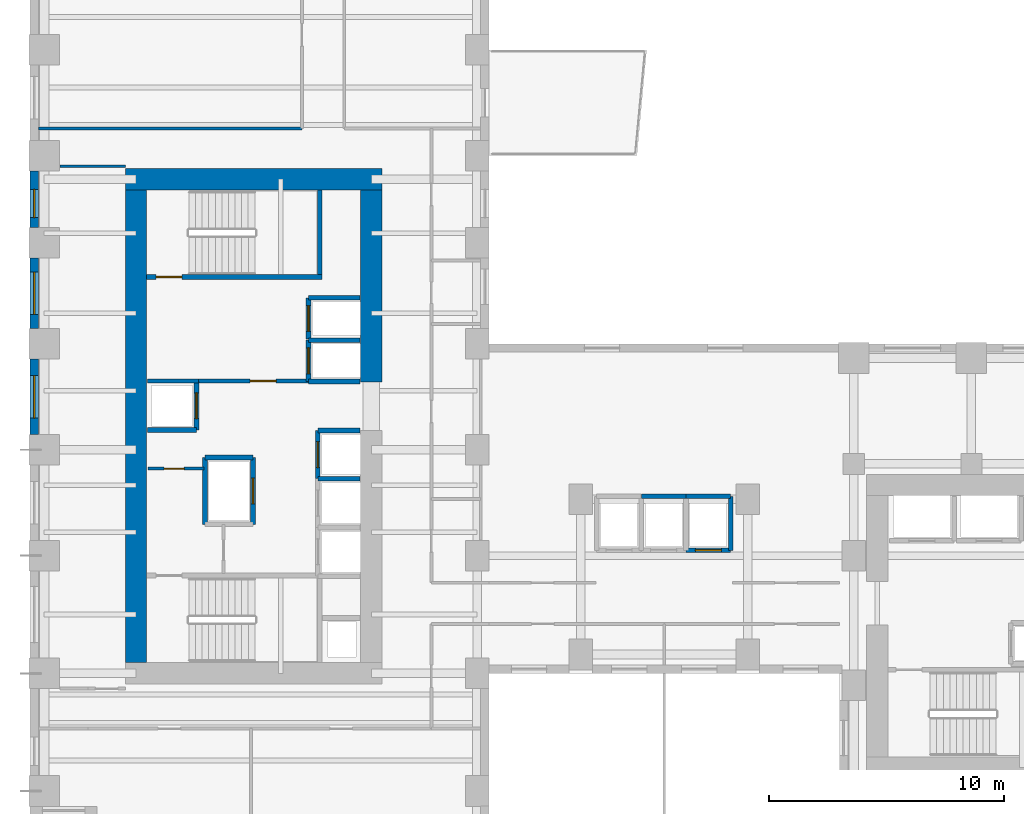
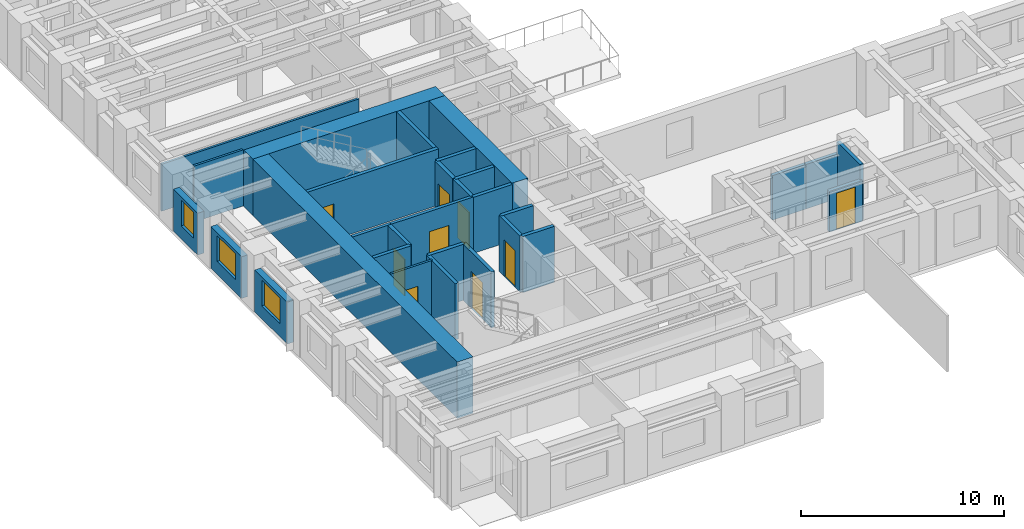
# One storey, part 5 of 11: 30 walls, 9 doors, 3 windows, 12 openings.
"""IFC4 building model written with IfcOpenShell, lengths in metres."""

from ifc_helpers import new_model, si_unit, direction, frame, frame_2d, origin, place, context, subcontext, project, spatial, rectangle, extrude, source, transform, mapped, material, layer, layer_set, type_object, element, fill, save


model = new_model("IFC4")

# Units and contexts
model_context = context("Model", 3, precision=1e-05, world=origin(), true_north=direction((0.0, 1.0)))
body_context = subcontext(model_context, "Body", "Model", "MODEL_VIEW")
ifc_project = project(units=[si_unit("LENGTHUNIT", "METRE"), si_unit("AREAUNIT", "SQUARE_METRE"), si_unit("VOLUMEUNIT", "CUBIC_METRE"), si_unit("PLANEANGLEUNIT", "RADIAN"), si_unit("MASSUNIT", "GRAM", prefix="KILO")], contexts=[model_context])

# Site, building, storey
site_placement = place(None, origin())
site = spatial("IfcSite", under=ifc_project, at=site_placement, CompositionType="ELEMENT")
building_placement = place(site_placement, origin())
building = spatial("IfcBuilding", under=site, at=building_placement, Name="Kharzan Plaza Tower", CompositionType="ELEMENT")
storey_placement = place(building_placement, frame((0.0, 0.0, 40.5)))
storey = spatial("IfcBuildingStorey", under=building, at=storey_placement, Name="L10", CompositionType="ELEMENT", Elevation=40.5)

# Wall, opening, window
ifc_material_1 = material(Name="Concrete C40/50", Category="concrete")
ifc_layer_1 = layer(ifc_material_1, 0.35009765625)
ifc_layer_set_1 = layer_set([ifc_layer_1], Name="Concrete C40/50")
wall_type_1 = type_object("IfcWallType", Name="WL-EXT-MAS-Z1", PredefinedType="SOLIDWALL", material=ifc_layer_set_1)
wall_1_placement = place(storey_placement, frame((0.175048828125, 29.85205078125, 0.0), z_axis=(0.0, 0.0, 1.0), x_axis=(0.0, -1.0, 0.0)))
wall_1 = element("IfcWall", 1, at=wall_1_placement, inside=storey, type_object=wall_type_1, Name="L10 Masonry-Frame Exterior Wall 14", PredefinedType="SOLIDWALL", context=body_context, shape_type="SweptSolid", body=[
    extrude(rectangle(XDim=2.404052734375, YDim=0.35009765625, at=frame_2d((1.2021484375, 0.0))), origin(), (0.0, 0.0, 1.0), 2.510009765625),
])
opening_1_placement = place(wall_1_placement, frame((0.786865234375, 0.0, 0.780029296875)))
opening_1 = element("IfcOpeningElement", 2, at=opening_1_placement, cuts=wall_1, Name="Opening W3", PredefinedType="OPENING", context=body_context, shape_type="SweptSolid", body=[
    extrude(rectangle(XDim=1.199951171875, YDim=1.550048828125, at=frame_2d((0.60009765625, 0.77490234375))), frame((0.0, 0.18505859375, 0.0), z_axis=(0.0, -1.0, 0.0), x_axis=(1.0, 0.0, 0.0)), (0.0, 0.0, 1.0), 0.3701171875),
])
ifc_material_2 = material(Name="Low-E Double Glazing", Category="glass")
window_type_1 = type_object("IfcWindowType", Name="WN-REC-1200x2100", PartitioningType="SINGLE_PANEL", PredefinedType="WINDOW", material=ifc_material_2)
shared_shape_1 = source(origin(), body_context, "Body", "SweptSolid", [
    extrude(rectangle(XDim=1.199951171875, YDim=1.550048828125, at=frame_2d((0.60009765625, 0.77490234375))), frame((0.0, 0.030029296875, 0.0), z_axis=(0.0, -1.0, 0.0), x_axis=(1.0, 0.0, 0.0)), (0.0, 0.0, 1.0), 0.06005859375),
])
window_1_placement = place(opening_1_placement, origin())
window_1 = element("IfcWindow", 3, at=window_1_placement, inside=storey, type_object=window_type_1, Name="L10 Recessed Solar-Control Window 14-1", OverallHeight=1.550048828125, OverallWidth=1.199951171875, PartitioningType="SINGLE_PANEL", PredefinedType="WINDOW", context=body_context, shape_type="MappedRepresentation", body=[
    mapped(shared_shape_1, transform((0.0, 0.0, 0.0), x_axis=(1.0, 0.0, 0.0), y_axis=(0.0, 1.0, 0.0), z_axis=(0.0, 0.0, 1.0))),
])
fill(opening_1, window_1)

wall_2_placement = place(storey_placement, frame((0.175048828125, 26.152099609375, 0.0), z_axis=(0.0, 0.0, 1.0), x_axis=(0.0, -1.0, 0.0)))
wall_2 = element("IfcWall", 4, at=wall_2_placement, inside=storey, type_object=wall_type_1, Name="L10 Masonry-Frame Exterior Wall 15", PredefinedType="SOLIDWALL", context=body_context, shape_type="SweptSolid", body=[
    extrude(rectangle(XDim=3.004150390625, YDim=0.35009765625, at=frame_2d((1.501953125, 0.0))), origin(), (0.0, 0.0, 1.0), 2.510009765625),
])
opening_2_placement = place(wall_2_placement, frame((0.60205078125, 0.0, 0.780029296875)))
opening_2 = element("IfcOpeningElement", 5, at=opening_2_placement, cuts=wall_2, Name="Opening W1", PredefinedType="OPENING", context=body_context, shape_type="SweptSolid", body=[
    extrude(rectangle(XDim=1.800048828125, YDim=1.550048828125, at=frame_2d((0.89990234375, 0.77490234375))), frame((0.0, 0.18505859375, 0.0), z_axis=(0.0, -1.0, 0.0), x_axis=(1.0, 0.0, 0.0)), (0.0, 0.0, 1.0), 0.3701171875),
])
window_type_2 = type_object("IfcWindowType", Name="WN-REC-1800x2100", PartitioningType="SINGLE_PANEL", PredefinedType="WINDOW", material=ifc_material_2)
shared_shape_2 = source(origin(), body_context, "Body", "SweptSolid", [
    extrude(rectangle(XDim=1.800048828125, YDim=1.550048828125, at=frame_2d((0.89990234375, 0.77490234375))), frame((0.0, 0.030029296875, 0.0), z_axis=(0.0, -1.0, 0.0), x_axis=(1.0, 0.0, 0.0)), (0.0, 0.0, 1.0), 0.06005859375),
])
window_2_placement = place(opening_2_placement, origin())
window_2 = element("IfcWindow", 6, at=window_2_placement, inside=storey, type_object=window_type_2, Name="L10 Recessed Solar-Control Window 15-1", OverallHeight=1.550048828125, OverallWidth=1.800048828125, PartitioningType="SINGLE_PANEL", PredefinedType="WINDOW", context=body_context, shape_type="MappedRepresentation", body=[
    mapped(shared_shape_2, transform((0.0, 0.0, 0.0), x_axis=(1.0, 0.0, 0.0), y_axis=(0.0, 1.0, 0.0), z_axis=(0.0, 0.0, 1.0))),
])
fill(opening_2, window_2)

wall_3_placement = place(storey_placement, frame((0.175048828125, 21.85205078125, 0.0), z_axis=(0.0, 0.0, 1.0), x_axis=(0.0, -1.0, 0.0)))
wall_3 = element("IfcWall", 7, at=wall_3_placement, inside=storey, type_object=wall_type_1, Name="L10 Masonry-Frame Exterior Wall 16", PredefinedType="SOLIDWALL", context=body_context, shape_type="SweptSolid", body=[
    extrude(rectangle(XDim=3.2041015625, YDim=0.35009765625, at=frame_2d((1.60205078125, 0.0))), origin(), (0.0, 0.0, 1.0), 2.510009765625),
])
opening_3_placement = place(wall_3_placement, frame((0.701904296875, 0.0, 0.780029296875)))
opening_3 = element("IfcOpeningElement", 8, at=opening_3_placement, cuts=wall_3, Name="Opening W1", PredefinedType="OPENING", context=body_context, shape_type="SweptSolid", body=[
    extrude(rectangle(XDim=1.800048828125, YDim=1.550048828125, at=frame_2d((0.89990234375, 0.77490234375))), frame((0.0, 0.18505859375, 0.0), z_axis=(0.0, -1.0, 0.0), x_axis=(1.0, 0.0, 0.0)), (0.0, 0.0, 1.0), 0.3701171875),
])
window_3_placement = place(opening_3_placement, origin())
window_3 = element("IfcWindow", 9, at=window_3_placement, inside=storey, type_object=window_type_2, Name="L10 Recessed Solar-Control Window 16-1", OverallHeight=1.550048828125, OverallWidth=1.800048828125, PartitioningType="SINGLE_PANEL", PredefinedType="WINDOW", context=body_context, shape_type="MappedRepresentation", body=[
    mapped(shared_shape_2, transform((0.0, 0.0, 0.0), x_axis=(1.0, 0.0, 0.0), y_axis=(0.0, 1.0, 0.0), z_axis=(0.0, 0.0, 1.0))),
])
fill(opening_3, window_3)

# Wall, opening, door
ifc_layer_2 = layer(ifc_material_1, 0.179931640625)
ifc_layer_set_2 = layer_set([ifc_layer_2], Name="Concrete C40/50")
wall_type_2 = type_object("IfcWallType", Name="WL-INT-FIRE-180", PredefinedType="PARTITIONING", material=ifc_layer_set_2)
wall_4_placement = place(storey_placement, frame((7.14990234375, 20.919921875, 0.0), z_axis=(0.0, 0.0, 1.0), x_axis=(1.0, 0.0, 0.0)))
wall_4 = element("IfcWall", 10, at=wall_4_placement, inside=storey, type_object=wall_type_2, Name="L10 Interior Partition CA-FF-S", PredefinedType="PARTITIONING", context=body_context, shape_type="SweptSolid", body=[
    extrude(rectangle(XDim=4.68017578125, YDim=0.179931640625, at=frame_2d((2.340087890625, 0.0))), origin(), (0.0, 0.0, 1.0), 3.364990234375),
])
opening_4_placement = place(wall_4_placement, frame((2.199951171875, 0.0, 0.0)))
opening_4 = element("IfcOpeningElement", 11, at=opening_4_placement, cuts=wall_4, Name="Opening FD1", PredefinedType="OPENING", context=body_context, shape_type="SweptSolid", body=[
    extrude(rectangle(XDim=1.10009765625, YDim=2.14990234375, at=frame_2d((0.550048828125, 1.074951171875))), frame((0.0, 0.099853515625, 0.0), z_axis=(0.0, -1.0, 0.0), x_axis=(1.0, 0.0, 0.0)), (0.0, 0.0, 1.0), 0.199951171875),
])
ifc_material_3 = material(Name="Fire-Rated Acoustic Vision-Panel Steel", Category="steel")
door_type_1 = type_object("IfcDoorType", Name="DR-FIRE-LOBBY", OperationType="NOTDEFINED", PredefinedType="DOOR", material=ifc_material_3)
shared_shape_3 = source(origin(), body_context, "Body", "SweptSolid", [
    extrude(rectangle(XDim=1.10009765625, YDim=2.14990234375, at=frame_2d((0.550048828125, 1.074951171875))), frame((0.0, 0.02490234375, 0.0), z_axis=(0.0, -1.0, 0.0), x_axis=(1.0, 0.0, 0.0)), (0.0, 0.0, 1.0), 0.050048828125),
])
door_1_placement = place(opening_4_placement, origin())
door_1 = element("IfcDoor", 12, at=door_1_placement, inside=storey, type_object=door_type_1, Name="L10 Firefighting Lobby Door", OperationType="SINGLE_SWING_LEFT", OverallHeight=2.14990234375, OverallWidth=1.10009765625, PredefinedType="DOOR", context=body_context, shape_type="MappedRepresentation", body=[
    mapped(shared_shape_3, transform((0.0, 0.0, 0.0), x_axis=(1.0, 0.0, 0.0), y_axis=(0.0, 1.0, 0.0), z_axis=(0.0, 0.0, 1.0))),
])
fill(opening_4, door_1)

ifc_material_4 = material(Name="Fire-Rated Gypsum Board Partition", Category="gypsum")
ifc_layer_3 = layer(ifc_material_4, 0.125)
ifc_layer_set_3 = layer_set([ifc_layer_3], Name="Fire-Rated Gypsum Board Partition")
wall_type_3 = type_object("IfcWallType", Name="WL-INT-PART-125", PredefinedType="PARTITIONING", material=ifc_layer_set_3)
wall_5_placement = place(storey_placement, frame((5.0, 17.199951171875, 0.0), z_axis=(0.0, 0.0, 1.0), x_axis=(1.0, 0.0, 0.0)))
wall_5 = element("IfcWall", 13, at=wall_5_placement, inside=storey, type_object=wall_type_3, Name="L10 Interior Partition CA-K1N2", PredefinedType="PARTITIONING", context=body_context, shape_type="SweptSolid", body=[
    extrude(rectangle(XDim=2.39990234375, YDim=0.125, at=frame_2d((1.199951171875, 0.0))), origin(), (0.0, 0.0, 1.0), 3.364990234375),
])
opening_5_placement = place(wall_5_placement, frame((0.699951171875, 0.0, 0.0)))
opening_5 = element("IfcOpeningElement", 14, at=opening_5_placement, cuts=wall_5, Name="Opening RD1", PredefinedType="OPENING", context=body_context, shape_type="SweptSolid", body=[
    extrude(rectangle(XDim=0.85009765625, YDim=2.10009765625, at=frame_2d((0.425048828125, 1.050048828125))), frame((0.0, 0.072509765625, 0.0), z_axis=(0.0, -1.0, 0.0), x_axis=(1.0, 0.0, 0.0)), (0.0, 0.0, 1.0), 0.14501953125),
])
ifc_material_5 = material(Name="Powder-Coated Fire-Rated Steel", Category="steel")
door_type_2 = type_object("IfcDoorType", Name="DR-RISER-900", OperationType="NOTDEFINED", PredefinedType="DOOR", material=ifc_material_5)
shared_shape_4 = source(origin(), body_context, "Body", "SweptSolid", [
    extrude(rectangle(XDim=0.85009765625, YDim=2.10009765625, at=frame_2d((0.425048828125, 1.050048828125))), frame((0.0, 0.02490234375, 0.0), z_axis=(0.0, -1.0, 0.0), x_axis=(1.0, 0.0, 0.0)), (0.0, 0.0, 1.0), 0.050048828125),
])
door_2_placement = place(opening_5_placement, origin())
door_2 = element("IfcDoor", 15, at=door_2_placement, inside=storey, type_object=door_type_2, Name="L10 Core Storage Room Door", OperationType="SINGLE_SWING_RIGHT", OverallHeight=2.10009765625, OverallWidth=0.85009765625, PredefinedType="DOOR", context=body_context, shape_type="MappedRepresentation", body=[
    mapped(shared_shape_4, transform((0.0, 0.0, 0.0), x_axis=(1.0, 0.0, 0.0), y_axis=(0.0, 1.0, 0.0), z_axis=(0.0, 0.0, 1.0))),
])
fill(opening_5, door_2)

ifc_layer_4 = layer(ifc_material_1, 0.199951171875)
ifc_layer_set_4 = layer_set([ifc_layer_4], Name="Concrete C40/50")
wall_type_4 = type_object("IfcWallType", Name="WL-INT-SHAFT-200", PredefinedType="PARTITIONING", material=ifc_layer_set_4)
wall_6_placement = place(storey_placement, frame((11.830078125, 20.89990234375, 0.0), z_axis=(0.0, 0.0, 1.0), x_axis=(0.0, 1.0, 0.0)))
wall_6 = element("IfcWall", 16, at=wall_6_placement, inside=storey, type_object=wall_type_4, Name="L10 Interior Partition SHF-FFL-1-W", PredefinedType="PARTITIONING", context=body_context, shape_type="SweptSolid", body=[
    extrude(rectangle(XDim=1.760009765625, YDim=0.199951171875, at=frame_2d((0.8798828125, 0.0))), origin(), (0.0, 0.0, 1.0), 3.364990234375),
])
opening_6_placement = place(wall_6_placement, frame((0.330078125, 0.0, 0.0)))
opening_6 = element("IfcOpeningElement", 17, at=opening_6_placement, cuts=wall_6, Name="Opening LD", PredefinedType="OPENING", context=body_context, shape_type="SweptSolid", body=[
    extrude(rectangle(XDim=1.10009765625, YDim=2.199951171875, at=frame_2d((0.550048828125, 1.10009765625))), frame((0.0, 0.10986328125, 0.0), z_axis=(0.0, -1.0, 0.0), x_axis=(1.0, 0.0, 0.0)), (0.0, 0.0, 1.0), 0.219970703125),
])
ifc_material_6 = material(Name="Brushed Stainless Steel", Category="steel")
door_type_3 = type_object("IfcDoorType", Name="DR-LIFT-SLIDE", OperationType="SLIDING_TO_LEFT", PredefinedType="DOOR", material=ifc_material_6)
shared_shape_5 = source(origin(), body_context, "Body", "SweptSolid", [
    extrude(rectangle(XDim=1.10009765625, YDim=2.199951171875, at=frame_2d((0.550048828125, 1.10009765625))), frame((0.0, 0.02490234375, 0.0), z_axis=(0.0, -1.0, 0.0), x_axis=(1.0, 0.0, 0.0)), (0.0, 0.0, 1.0), 0.050048828125),
])
door_3_placement = place(opening_6_placement, origin())
door_3 = element("IfcDoor", 18, at=door_3_placement, inside=storey, type_object=door_type_3, Name="L10 Firefighting Lift FFL-1 Sliding Landing Door", OperationType="SLIDING_TO_LEFT", OverallHeight=2.199951171875, OverallWidth=1.10009765625, PredefinedType="DOOR", context=body_context, shape_type="MappedRepresentation", body=[
    mapped(shared_shape_5, transform((0.0, 0.0, 0.0), x_axis=(1.0, 0.0, 0.0), y_axis=(0.0, 1.0, 0.0), z_axis=(0.0, 0.0, 1.0))),
])
fill(opening_6, door_3)

wall_7_placement = place(storey_placement, frame((11.830078125, 22.699951171875, 0.0), z_axis=(0.0, 0.0, 1.0), x_axis=(0.0, 1.0, 0.0)))
wall_7 = element("IfcWall", 19, at=wall_7_placement, inside=storey, type_object=wall_type_4, Name="L10 Interior Partition SHF-FFL-2-W", PredefinedType="PARTITIONING", context=body_context, shape_type="SweptSolid", body=[
    extrude(rectangle(XDim=1.760009765625, YDim=0.199951171875, at=frame_2d((0.8798828125, 0.0))), origin(), (0.0, 0.0, 1.0), 3.364990234375),
])
opening_7_placement = place(wall_7_placement, frame((0.330078125, 0.0, 0.0)))
opening_7 = element("IfcOpeningElement", 20, at=opening_7_placement, cuts=wall_7, Name="Opening LD", PredefinedType="OPENING", context=body_context, shape_type="SweptSolid", body=[
    extrude(rectangle(XDim=1.10009765625, YDim=2.199951171875, at=frame_2d((0.550048828125, 1.10009765625))), frame((0.0, 0.10986328125, 0.0), z_axis=(0.0, -1.0, 0.0), x_axis=(1.0, 0.0, 0.0)), (0.0, 0.0, 1.0), 0.219970703125),
])
door_4_placement = place(opening_7_placement, origin())
door_4 = element("IfcDoor", 21, at=door_4_placement, inside=storey, type_object=door_type_3, Name="L10 Firefighting Lift FFL-2 Sliding Landing Door", OperationType="SLIDING_TO_LEFT", OverallHeight=2.199951171875, OverallWidth=1.10009765625, PredefinedType="DOOR", context=body_context, shape_type="MappedRepresentation", body=[
    mapped(shared_shape_5, transform((0.0, 0.0, 0.0), x_axis=(1.0, 0.0, 0.0), y_axis=(0.0, 1.0, 0.0), z_axis=(0.0, 0.0, 1.0))),
])
fill(opening_7, door_4)

wall_8_placement = place(storey_placement, frame((12.22998046875, 16.77001953125, 0.0), z_axis=(0.0, 0.0, 1.0), x_axis=(0.0, 1.0, 0.0)))
wall_8 = element("IfcWall", 22, at=wall_8_placement, inside=storey, type_object=wall_type_4, Name="L10 Interior Partition SHF-PL-H3-W", PredefinedType="PARTITIONING", context=body_context, shape_type="SweptSolid", body=[
    extrude(rectangle(XDim=2.050048828125, YDim=0.199951171875, at=frame_2d((1.02490234375, 0.0))), origin(), (0.0, 0.0, 1.0), 3.364990234375),
])
opening_8_placement = place(wall_8_placement, frame((0.47509765625, 0.0, 0.0)))
opening_8 = element("IfcOpeningElement", 23, at=opening_8_placement, cuts=wall_8, Name="Opening LD", PredefinedType="OPENING", context=body_context, shape_type="SweptSolid", body=[
    extrude(rectangle(XDim=1.10009765625, YDim=2.199951171875, at=frame_2d((0.550048828125, 1.10009765625))), frame((0.0, 0.10986328125, 0.0), z_axis=(0.0, -1.0, 0.0), x_axis=(1.0, 0.0, 0.0)), (0.0, 0.0, 1.0), 0.219970703125),
])
door_5_placement = place(opening_8_placement, origin())
door_5 = element("IfcDoor", 24, at=door_5_placement, inside=storey, type_object=door_type_3, Name="L10 High-Rise Passenger Lift PL-H3 Sliding Landing Door", OperationType="SLIDING_TO_LEFT", OverallHeight=2.199951171875, OverallWidth=1.10009765625, PredefinedType="DOOR", context=body_context, shape_type="MappedRepresentation", body=[
    mapped(shared_shape_5, transform((0.0, 0.0, 0.0), x_axis=(1.0, 0.0, 0.0), y_axis=(0.0, 1.0, 0.0), z_axis=(0.0, 0.0, 1.0))),
])
fill(opening_8, door_5)

wall_9_placement = place(storey_placement, frame((7.070068359375, 18.840087890625, 0.0), z_axis=(0.0, 0.0, 1.0), x_axis=(0.0, 1.0, 0.0)))
wall_9 = element("IfcWall", 25, at=wall_9_placement, inside=storey, type_object=wall_type_4, Name="L10 Interior Partition SHF-PL-H4-E", PredefinedType="PARTITIONING", context=body_context, shape_type="SweptSolid", body=[
    extrude(rectangle(XDim=2.059814453125, YDim=0.199951171875, at=frame_2d((1.02978515625, 0.0))), origin(), (0.0, 0.0, 1.0), 3.364990234375),
])
opening_9_placement = place(wall_9_placement, frame((0.47998046875, 0.0, 0.0)))
opening_9 = element("IfcOpeningElement", 26, at=opening_9_placement, cuts=wall_9, Name="Opening LD", PredefinedType="OPENING", context=body_context, shape_type="SweptSolid", body=[
    extrude(rectangle(XDim=1.10009765625, YDim=2.199951171875, at=frame_2d((0.550048828125, 1.10009765625))), frame((0.0, 0.10986328125, 0.0), z_axis=(0.0, -1.0, 0.0), x_axis=(1.0, 0.0, 0.0)), (0.0, 0.0, 1.0), 0.219970703125),
])
door_6_placement = place(opening_9_placement, origin())
door_6 = element("IfcDoor", 27, at=door_6_placement, inside=storey, type_object=door_type_3, Name="L10 High-Rise Passenger Lift PL-H4 Sliding Landing Door", OperationType="SLIDING_TO_LEFT", OverallHeight=2.199951171875, OverallWidth=1.10009765625, PredefinedType="DOOR", context=body_context, shape_type="MappedRepresentation", body=[
    mapped(shared_shape_5, transform((0.0, 0.0, 0.0), x_axis=(1.0, 0.0, 0.0), y_axis=(0.0, 1.0, 0.0), z_axis=(0.0, 0.0, 1.0))),
])
fill(opening_9, door_6)

wall_10_placement = place(storey_placement, frame((27.8798828125, 13.72998046875, 0.0), z_axis=(0.0, 0.0, 1.0), x_axis=(1.0, 0.0, 0.0)))
wall_10 = element("IfcWall", 28, at=wall_10_placement, inside=storey, type_object=wall_type_4, Name="L10 Interior Partition SHF-PL-M3-S", PredefinedType="PARTITIONING", context=body_context, shape_type="SweptSolid", body=[
    extrude(rectangle(XDim=1.89013671875, YDim=0.199951171875, at=frame_2d((0.945068359375, 0.0))), origin(), (0.0, 0.0, 1.0), 2.446044921875),
])
opening_10_placement = place(wall_10_placement, frame((0.39501953125, 0.0, 0.0)))
opening_10 = element("IfcOpeningElement", 29, at=opening_10_placement, cuts=wall_10, Name="Opening LD", PredefinedType="OPENING", context=body_context, shape_type="SweptSolid", body=[
    extrude(rectangle(XDim=1.10009765625, YDim=2.199951171875, at=frame_2d((0.550048828125, 1.10009765625))), frame((0.0, 0.10986328125, 0.0), z_axis=(0.0, -1.0, 0.0), x_axis=(1.0, 0.0, 0.0)), (0.0, 0.0, 1.0), 0.219970703125),
])
door_7_placement = place(opening_10_placement, origin())
door_7 = element("IfcDoor", 30, at=door_7_placement, inside=storey, type_object=door_type_3, Name="L10 Mid-Rise Passenger Lift PL-M3 Sliding Landing Door", OperationType="SLIDING_TO_LEFT", OverallHeight=2.199951171875, OverallWidth=1.10009765625, PredefinedType="DOOR", context=body_context, shape_type="MappedRepresentation", body=[
    mapped(shared_shape_5, transform((0.0, 0.0, 0.0), x_axis=(1.0, 0.0, 0.0), y_axis=(0.0, 1.0, 0.0), z_axis=(0.0, 0.0, 1.0))),
])
fill(opening_10, door_7)

wall_11_placement = place(storey_placement, frame((9.469970703125, 14.830078125, 0.0), z_axis=(0.0, 0.0, 1.0), x_axis=(0.0, 1.0, 0.0)))
wall_11 = element("IfcWall", 31, at=wall_11_placement, inside=storey, type_object=wall_type_4, Name="L10 Interior Partition SHF-SVL-1-E", PredefinedType="PARTITIONING", context=body_context, shape_type="SweptSolid", body=[
    extrude(rectangle(XDim=2.83984375, YDim=0.199951171875, at=frame_2d((1.419921875, 0.0))), origin(), (0.0, 0.0, 1.0), 3.364990234375),
])
opening_11_placement = place(wall_11_placement, frame((0.8701171875, 0.0, 0.0)))
opening_11 = element("IfcOpeningElement", 32, at=opening_11_placement, cuts=wall_11, Name="Opening LD", PredefinedType="OPENING", context=body_context, shape_type="SweptSolid", body=[
    extrude(rectangle(XDim=1.10009765625, YDim=2.199951171875, at=frame_2d((0.550048828125, 1.10009765625))), frame((0.0, 0.10986328125, 0.0), z_axis=(0.0, -1.0, 0.0), x_axis=(1.0, 0.0, 0.0)), (0.0, 0.0, 1.0), 0.219970703125),
])
door_8_placement = place(opening_11_placement, origin())
door_8 = element("IfcDoor", 33, at=door_8_placement, inside=storey, type_object=door_type_3, Name="L10 Service Lift SVL-1 Sliding Landing Door", OperationType="SLIDING_TO_LEFT", OverallHeight=2.199951171875, OverallWidth=1.10009765625, PredefinedType="DOOR", context=body_context, shape_type="MappedRepresentation", body=[
    mapped(shared_shape_5, transform((0.0, 0.0, 0.0), x_axis=(1.0, 0.0, 0.0), y_axis=(0.0, 1.0, 0.0), z_axis=(0.0, 0.0, 1.0))),
])
fill(opening_11, door_8)

ifc_material_7 = material(Name="Concrete C50/60", Category="concrete")
ifc_layer_5 = layer(ifc_material_7, 0.199951171875)
ifc_layer_set_5 = layer_set([ifc_layer_5], Name="Concrete C50/60")
wall_type_5 = type_object("IfcWallType", Name="WL-SHAFT-RC200", PredefinedType="SHEAR", material=ifc_layer_set_5)
wall_12_placement = place(storey_placement, frame((4.951904296875, 25.344970703125, 0.0), z_axis=(0.0, 0.0, 1.0), x_axis=(1.0, 0.0, 0.0)))
wall_12 = element("IfcWall", 34, at=wall_12_placement, inside=storey, type_object=wall_type_5, Name="L10 Stair ST-2 South RC Shaft Wall", PredefinedType="SHEAR", context=body_context, shape_type="SweptSolid", body=[
    extrude(rectangle(XDim=7.453125, YDim=0.199951171875, at=frame_2d((3.7265625, 0.0))), origin(), (0.0, 0.0, 1.0), 3.3798828125),
])
opening_12_placement = place(wall_12_placement, frame((0.39990234375, 0.0, 0.0)))
opening_12 = element("IfcOpeningElement", 35, at=opening_12_placement, cuts=wall_12, Name="Opening SD1", PredefinedType="OPENING", context=body_context, shape_type="SweptSolid", body=[
    extrude(rectangle(XDim=1.10009765625, YDim=2.14990234375, at=frame_2d((0.550048828125, 1.074951171875))), frame((0.0, 0.10986328125, 0.0), z_axis=(0.0, -1.0, 0.0), x_axis=(1.0, 0.0, 0.0)), (0.0, 0.0, 1.0), 0.219970703125),
])
ifc_material_8 = material(Name="Fire-Rated Hollow Galvanized Steel", Category="steel")
door_type_4 = type_object("IfcDoorType", Name="DR-STAIR-FD120", OperationType="NOTDEFINED", PredefinedType="DOOR", material=ifc_material_8)
shared_shape_6 = source(origin(), body_context, "Body", "SweptSolid", [
    extrude(rectangle(XDim=1.10009765625, YDim=2.14990234375, at=frame_2d((0.550048828125, 1.074951171875))), frame((0.0, 0.02490234375, 0.0), z_axis=(0.0, -1.0, 0.0), x_axis=(1.0, 0.0, 0.0)), (0.0, 0.0, 1.0), 0.050048828125),
])
door_9_placement = place(opening_12_placement, origin())
door_9 = element("IfcDoor", 36, at=door_9_placement, inside=storey, type_object=door_type_4, Name="L10 Stair ST-2 Fire Exit Door", OperationType="SINGLE_SWING_RIGHT", OverallHeight=2.14990234375, OverallWidth=1.10009765625, PredefinedType="DOOR", context=body_context, shape_type="MappedRepresentation", body=[
    mapped(shared_shape_6, transform((0.0, 0.0, 0.0), x_axis=(1.0, 0.0, 0.0), y_axis=(0.0, 1.0, 0.0), z_axis=(0.0, 0.0, 1.0))),
])
fill(opening_12, door_9)

# Walls
ifc_material_9 = material(Name="Concrete C60/75", Category="concrete")
ifc_layer_6 = layer(ifc_material_9, 0.89990234375)
ifc_layer_set_6 = layer_set([ifc_layer_6], Name="Concrete C60/75")
wall_type_6 = type_object("IfcWallType", Name="WL-CORE-900", PredefinedType="SHEAR", material=ifc_layer_set_6)
shared_shape_7 = source(origin(), body_context, "Body", "SweptSolid", [
    extrude(rectangle(XDim=8.170166015625, YDim=0.89990234375, at=frame_2d((4.0849609375, 0.0))), origin(), (0.0, 0.0, 1.0), 3.3798828125),
])
wall_13_placement = place(storey_placement, frame((14.5, 20.8798828125, 0.0), z_axis=(0.0, 0.0, 1.0), x_axis=(0.0, 1.0, 0.0)))
element("IfcWall", 37, at=wall_13_placement, inside=storey, type_object=wall_type_6, Name="L10 CORE-A east shear pier 2", PredefinedType="SHEAR", context=body_context, shape_type="MappedRepresentation", body=[
    mapped(shared_shape_7, transform((0.0, 0.0, 0.0), x_axis=(1.0, 0.0, 0.0), y_axis=(0.0, 1.0, 0.0), z_axis=(0.0, 0.0, 1.0))),
])
shared_shape_8 = source(origin(), body_context, "Body", "SweptSolid", [
    extrude(rectangle(XDim=10.89990234375, YDim=0.89990234375, at=frame_2d((5.449951171875, 0.0))), origin(), (0.0, 0.0, 1.0), 3.3798828125),
])
wall_14_placement = place(storey_placement, frame((4.050048828125, 29.5, 0.0), z_axis=(0.0, 0.0, 1.0), x_axis=(1.0, 0.0, 0.0)))
element("IfcWall", 38, at=wall_14_placement, inside=storey, type_object=wall_type_6, Name="L10 CORE-A north RC shear wall", PredefinedType="SHEAR", context=body_context, shape_type="MappedRepresentation", body=[
    mapped(shared_shape_8, transform((0.0, 0.0, 0.0), x_axis=(1.0, 0.0, 0.0), y_axis=(0.0, 1.0, 0.0), z_axis=(0.0, 0.0, 1.0))),
])
shared_shape_9 = source(origin(), body_context, "Body", "SweptSolid", [
    extrude(rectangle(XDim=20.10009765625, YDim=0.89990234375, at=frame_2d((10.050048828125, 0.0))), origin(), (0.0, 0.0, 1.0), 3.3798828125),
])
wall_15_placement = place(storey_placement, frame((4.5, 8.949951171875, 0.0), z_axis=(0.0, 0.0, 1.0), x_axis=(0.0, 1.0, 0.0)))
element("IfcWall", 39, at=wall_15_placement, inside=storey, type_object=wall_type_6, Name="L10 CORE-A west RC shear wall", PredefinedType="SHEAR", context=body_context, shape_type="MappedRepresentation", body=[
    mapped(shared_shape_9, transform((0.0, 0.0, 0.0), x_axis=(1.0, 0.0, 0.0), y_axis=(0.0, 1.0, 0.0), z_axis=(0.0, 0.0, 1.0))),
])
shared_shape_10 = source(origin(), body_context, "Body", "SweptSolid", [
    extrude(rectangle(XDim=2.169921875, YDim=0.179931640625, at=frame_2d((1.0849609375, 0.0))), origin(), (0.0, 0.0, 1.0), 3.364990234375),
])
wall_16_placement = place(storey_placement, frame((4.97998046875, 20.919921875, 0.0), z_axis=(0.0, 0.0, 1.0), x_axis=(1.0, 0.0, 0.0)))
element("IfcWall", 40, at=wall_16_placement, inside=storey, type_object=wall_type_2, Name="L10 Interior Partition CA-FF-SW", PredefinedType="PARTITIONING", context=body_context, shape_type="MappedRepresentation", body=[
    mapped(shared_shape_10, transform((0.0, 0.0, 0.0), x_axis=(1.0, 0.0, 0.0), y_axis=(0.0, 1.0, 0.0), z_axis=(0.0, 0.0, 1.0))),
])
shared_shape_11 = source(origin(), body_context, "Body", "SweptSolid", [
    extrude(rectangle(XDim=2.7900390625, YDim=0.125, at=frame_2d((1.39501953125, 0.0))), origin(), (0.0, 0.0, 1.0), 3.364990234375),
])
wall_17_placement = place(storey_placement, frame((1.260009765625, 30.050048828125, 0.0), z_axis=(0.0, 0.0, 1.0), x_axis=(1.0, 0.0, 0.0)))
element("IfcWall", 41, at=wall_17_placement, inside=storey, type_object=wall_type_3, Name="L10 Interior Partition SH-RWN0", PredefinedType="PARTITIONING", context=body_context, shape_type="MappedRepresentation", body=[
    mapped(shared_shape_11, transform((0.0, 0.0, 0.0), x_axis=(1.0, 0.0, 0.0), y_axis=(0.0, 1.0, 0.0), z_axis=(0.0, 0.0, 1.0))),
])
shared_shape_12 = source(origin(), body_context, "Body", "SweptSolid", [
    extrude(rectangle(XDim=2.18994140625, YDim=0.199951171875, at=frame_2d((1.094970703125, 0.0))), origin(), (0.0, 0.0, 1.0), 3.364990234375),
])
for number, where, z_axis, x_axis, name in (
    (42, (11.830078125, 22.659912109375, 0.0), (0.0, 0.0, 1.0), (1.0, 0.0, 0.0), "L10 Interior Partition SHF-FFL-1-N"),
    (43, (11.830078125, 20.89990234375, 0.0), (0.0, 0.0, 1.0), (1.0, 0.0, 0.0), "L10 Interior Partition SHF-FFL-1-S"),
    (44, (11.830078125, 24.4599609375, 0.0), (0.0, 0.0, 1.0), (1.0, 0.0, 0.0), "L10 Interior Partition SHF-FFL-2-N"),
):
    element("IfcWall", number, at=place(storey_placement, frame(where, z_axis=z_axis, x_axis=x_axis)), inside=storey, type_object=wall_type_4, Name=name, PredefinedType="PARTITIONING", context=body_context, shape_type="MappedRepresentation", body=[
        mapped(shared_shape_12, transform((0.0, 0.0, 0.0), x_axis=(1.0, 0.0, 0.0), y_axis=(0.0, 1.0, 0.0), z_axis=(0.0, 0.0, 1.0))),
    ])
shared_shape_13 = source(origin(), body_context, "Body", "SweptSolid", [
    extrude(rectangle(XDim=1.7900390625, YDim=0.199951171875, at=frame_2d((0.89501953125, 0.0))), origin(), (0.0, 0.0, 1.0), 3.364990234375),
])
for number, where, z_axis, x_axis, name in (
    (45, (12.22998046875, 16.77001953125, 0.0), (0.0, 0.0, 1.0), (1.0, 0.0, 0.0), "L10 Interior Partition SHF-PL-H2-N"),
    (46, (12.22998046875, 18.820068359375, 0.0), (0.0, 0.0, 1.0), (1.0, 0.0, 0.0), "L10 Interior Partition SHF-PL-H3-N"),
):
    element("IfcWall", number, at=place(storey_placement, frame(where, z_axis=z_axis, x_axis=x_axis)), inside=storey, type_object=wall_type_4, Name=name, PredefinedType="PARTITIONING", context=body_context, shape_type="MappedRepresentation", body=[
        mapped(shared_shape_13, transform((0.0, 0.0, 0.0), x_axis=(1.0, 0.0, 0.0), y_axis=(0.0, 1.0, 0.0), z_axis=(0.0, 0.0, 1.0))),
    ])
shared_shape_14 = source(origin(), body_context, "Body", "SweptSolid", [
    extrude(rectangle(XDim=2.090087890625, YDim=0.199951171875, at=frame_2d((1.044921875, 0.0))), origin(), (0.0, 0.0, 1.0), 3.364990234375),
])
wall_18_placement = place(storey_placement, frame((4.97998046875, 18.840087890625, 0.0), z_axis=(0.0, 0.0, 1.0), x_axis=(1.0, 0.0, 0.0)))
element("IfcWall", 47, at=wall_18_placement, inside=storey, type_object=wall_type_4, Name="L10 Interior Partition SHF-PL-H4-S", PredefinedType="PARTITIONING", context=body_context, shape_type="MappedRepresentation", body=[
    mapped(shared_shape_14, transform((0.0, 0.0, 0.0), x_axis=(1.0, 0.0, 0.0), y_axis=(0.0, 1.0, 0.0), z_axis=(0.0, 0.0, 1.0))),
])
shared_shape_15 = source(origin(), body_context, "Body", "SweptSolid", [
    extrude(rectangle(XDim=2.2900390625, YDim=0.199951171875, at=frame_2d((1.14501953125, 0.0))), origin(), (0.0, 0.0, 1.0), 3.364990234375),
])
wall_19_placement = place(storey_placement, frame((29.77001953125, 13.72998046875, 0.0), z_axis=(0.0, 0.0, 1.0), x_axis=(0.0, 1.0, 0.0)))
element("IfcWall", 48, at=wall_19_placement, inside=storey, type_object=wall_type_4, Name="L10 Interior Partition SHF-PL-M3-E", PredefinedType="PARTITIONING", context=body_context, shape_type="MappedRepresentation", body=[
    mapped(shared_shape_15, transform((0.0, 0.0, 0.0), x_axis=(1.0, 0.0, 0.0), y_axis=(0.0, 1.0, 0.0), z_axis=(0.0, 0.0, 1.0))),
])
shared_shape_16 = source(origin(), body_context, "Body", "SweptSolid", [
    extrude(rectangle(XDim=1.89013671875, YDim=0.199951171875, at=frame_2d((0.945068359375, 0.0))), origin(), (0.0, 0.0, 1.0), 2.669921875),
])
for number, where, z_axis, x_axis, name in (
    (49, (25.97998046875, 16.02001953125, 0.0), (0.0, 0.0, 1.0), (1.0, 0.0, 0.0), "L10 Interior Partition SHF-PL-M2-N"),
    (50, (27.8798828125, 16.02001953125, 0.0), (0.0, 0.0, 1.0), (1.0, 0.0, 0.0), "L10 Interior Partition SHF-PL-M3-N"),
):
    element("IfcWall", number, at=place(storey_placement, frame(where, z_axis=z_axis, x_axis=x_axis)), inside=storey, type_object=wall_type_4, Name=name, PredefinedType="PARTITIONING", context=body_context, shape_type="MappedRepresentation", body=[
        mapped(shared_shape_16, transform((0.0, 0.0, 0.0), x_axis=(1.0, 0.0, 0.0), y_axis=(0.0, 1.0, 0.0), z_axis=(0.0, 0.0, 1.0))),
    ])
shared_shape_17 = source(origin(), body_context, "Body", "SweptSolid", [
    extrude(rectangle(XDim=2.0400390625, YDim=0.199951171875, at=frame_2d((1.02001953125, 0.0))), origin(), (0.0, 0.0, 1.0), 3.364990234375),
])
wall_20_placement = place(storey_placement, frame((7.429931640625, 17.669921875, 0.0), z_axis=(0.0, 0.0, 1.0), x_axis=(1.0, 0.0, 0.0)))
element("IfcWall", 51, at=wall_20_placement, inside=storey, type_object=wall_type_4, Name="L10 Interior Partition SHF-SVL-1-N", PredefinedType="PARTITIONING", context=body_context, shape_type="MappedRepresentation", body=[
    mapped(shared_shape_17, transform((0.0, 0.0, 0.0), x_axis=(1.0, 0.0, 0.0), y_axis=(0.0, 1.0, 0.0), z_axis=(0.0, 0.0, 1.0))),
])
shared_shape_18 = source(origin(), body_context, "Body", "SweptSolid", [
    extrude(rectangle(XDim=2.83984375, YDim=0.199951171875, at=frame_2d((1.419921875, 0.0))), origin(), (0.0, 0.0, 1.0), 3.364990234375),
])
wall_21_placement = place(storey_placement, frame((7.429931640625, 14.830078125, 0.0), z_axis=(0.0, 0.0, 1.0), x_axis=(0.0, 1.0, 0.0)))
element("IfcWall", 52, at=wall_21_placement, inside=storey, type_object=wall_type_4, Name="L10 Interior Partition SHF-SVL-1-W", PredefinedType="PARTITIONING", context=body_context, shape_type="MappedRepresentation", body=[
    mapped(shared_shape_18, transform((0.0, 0.0, 0.0), x_axis=(1.0, 0.0, 0.0), y_axis=(0.0, 1.0, 0.0), z_axis=(0.0, 0.0, 1.0))),
])
shared_shape_19 = source(origin(), body_context, "Body", "SweptSolid", [
    extrude(rectangle(XDim=3.60302734375, YDim=0.199951171875, at=frame_2d((1.801513671875, 0.0))), origin(), (0.0, 0.0, 1.0), 3.3798828125),
])
wall_22_placement = place(storey_placement, frame((12.304931640625, 25.445068359375, 0.0), z_axis=(0.0, 0.0, 1.0), x_axis=(0.0, 1.0, 0.0)))
element("IfcWall", 53, at=wall_22_placement, inside=storey, type_object=wall_type_5, Name="L10 Stair ST-2 East RC Shaft Wall", PredefinedType="SHEAR", context=body_context, shape_type="MappedRepresentation", body=[
    mapped(shared_shape_19, transform((0.0, 0.0, 0.0), x_axis=(1.0, 0.0, 0.0), y_axis=(0.0, 1.0, 0.0), z_axis=(0.0, 0.0, 1.0))),
])
shared_shape_20 = source(origin(), body_context, "Body", "SweptSolid", [
    extrude(rectangle(XDim=11.197998046875, YDim=0.125, at=frame_2d((5.59912109375, 0.0))), origin(), (0.0, 0.0, 1.0), 2.827880859375),
])
wall_23_placement = place(storey_placement, frame((0.35205078125, 31.64990234375, 0.0), z_axis=(0.0, 0.0, 1.0), x_axis=(1.0, 0.0, 0.0)))
element("IfcWall", 54, at=wall_23_placement, inside=storey, type_object=wall_type_3, Name="L10 Interior Partition SH-NNW", PredefinedType="PARTITIONING", context=body_context, shape_type="MappedRepresentation", body=[
    mapped(shared_shape_20, transform((0.0, 0.0, 0.0), x_axis=(1.0, 0.0, 0.0), y_axis=(0.0, 1.0, 0.0), z_axis=(0.0, 0.0, 1.0))),
])

save(model, "model.ifc")
